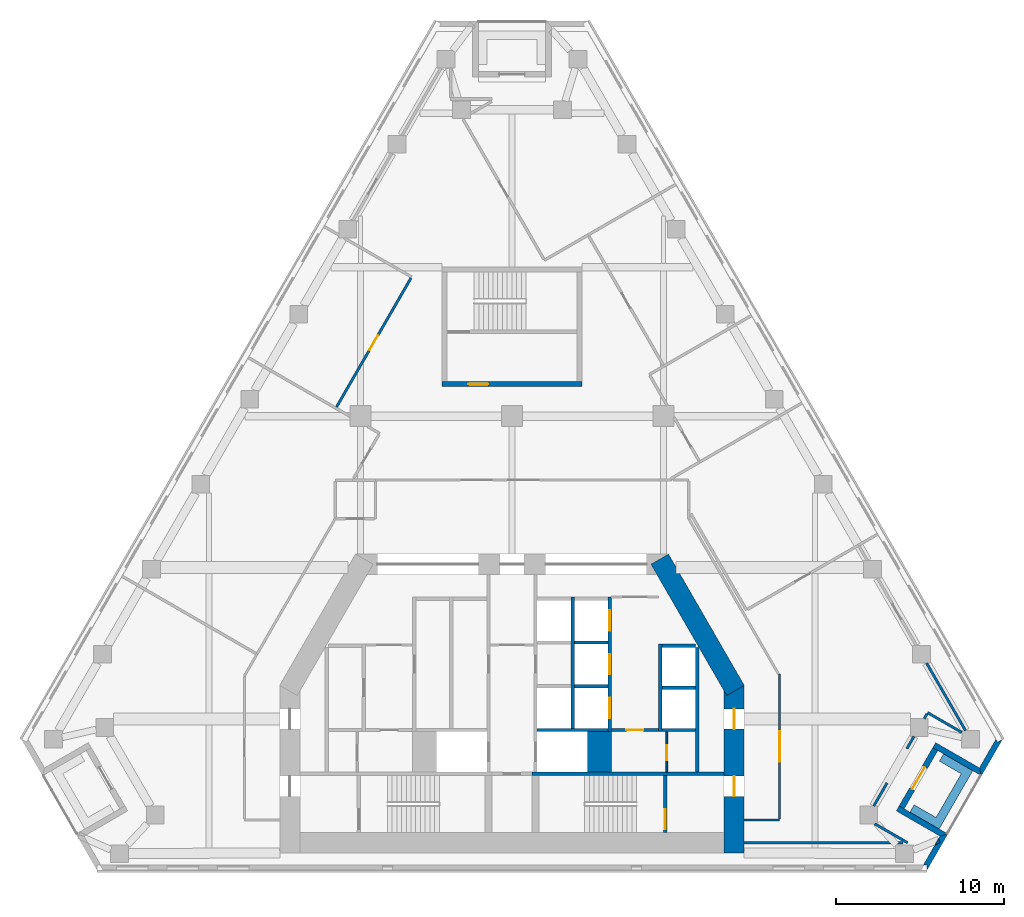
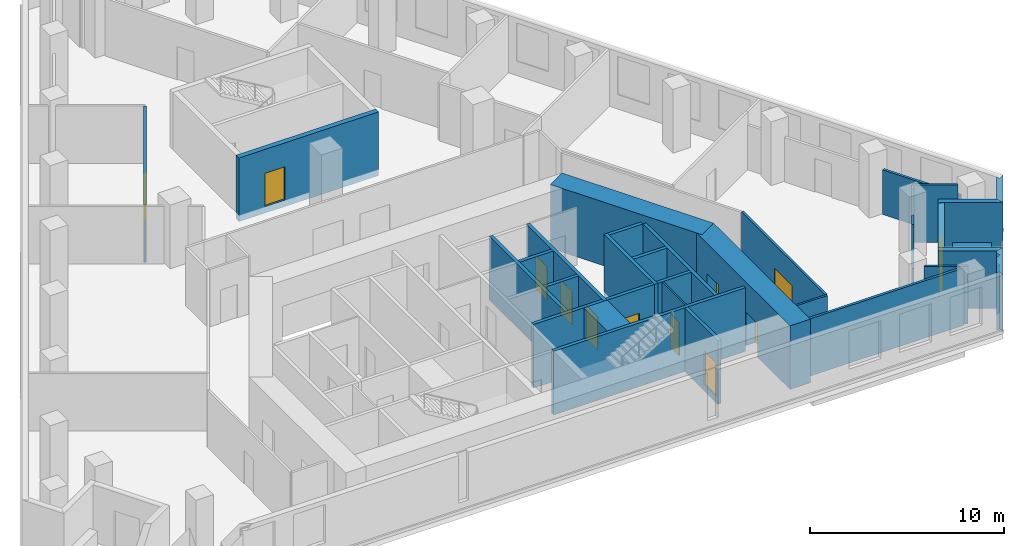
# One storey, part 6 of 9: 35 walls, 12 doors, 12 openings.
"""IFC4 building model written with IfcOpenShell, lengths in metres."""

from ifc_helpers import new_model, si_unit, direction, frame, frame_2d, origin, place, context, subcontext, project, spatial, polyline, rectangle, outline, extrude, material, layer, layer_set, type_object, element, fill, save


model = new_model("IFC4")

# Units and contexts
model_context = context("Model", 3, precision=1e-05, world=origin(), true_north=direction((0.0, 1.0)))
body_context = subcontext(model_context, "Body", "Model", "MODEL_VIEW")
ifc_project = project(units=[si_unit("LENGTHUNIT", "METRE"), si_unit("AREAUNIT", "SQUARE_METRE"), si_unit("VOLUMEUNIT", "CUBIC_METRE"), si_unit("PLANEANGLEUNIT", "RADIAN"), si_unit("MASSUNIT", "GRAM", prefix="KILO")], contexts=[model_context])

# Site, building, storey
site_placement = place(None, origin())
site = spatial("IfcSite", under=ifc_project, at=site_placement, CompositionType="ELEMENT")
building_placement = place(site_placement, origin())
building = spatial("IfcBuilding", under=site, at=building_placement, Name="Fogline Exchange Tower", CompositionType="ELEMENT")
storey_placement = place(building_placement, frame((0.0, 0.0, 150.89990234375)))
storey = spatial("IfcBuildingStorey", under=building, at=storey_placement, Name="L33", CompositionType="ELEMENT", Elevation=150.89990234375)

# Wall, opening, door
ifc_material_1 = material(Name="Blockwork partition", Category="masonry")
ifc_layer_1 = layer(ifc_material_1, 0.10009765625)
ifc_layer_set_1 = layer_set([ifc_layer_1], Name="CW10")
wall_type_1 = type_object("IfcWallType", Name="CW10", PredefinedType="PARTITIONING", material=ifc_layer_set_1)
wall_1_placement = place(storey_placement, frame((9.199951171875, 5.85009765625, 0.0), z_axis=(0.0, 0.0, 1.0), x_axis=(0.0, 1.0, 0.0)))
wall_1 = element("IfcWall", 1, at=wall_1_placement, inside=storey, type_object=wall_type_1, Name="WC partition", PredefinedType="PARTITIONING", context=body_context, shape_type="SweptSolid", body=[
    extrude(rectangle(XDim=2.39990234375, YDim=0.10009765625, at=frame_2d((1.199951171875, 0.0))), origin(), (0.0, 0.0, 1.0), 3.60009765625),
])
opening_1_placement = place(wall_1_placement, frame((0.699951171875, 0.0, 0.0)))
opening_1 = element("IfcOpeningElement", 2, at=opening_1_placement, cuts=wall_1, Name="Opening T10-C014", PredefinedType="OPENING", context=body_context, shape_type="SweptSolid", body=[
    extrude(rectangle(XDim=0.89990234375, YDim=2.10009765625, at=frame_2d((0.449951171875, 1.050048828125))), frame((0.0, 0.06005859375, 0.0), z_axis=(0.0, -1.0, 0.0), x_axis=(1.0, 0.0, 0.0)), (0.0, 0.0, 1.0), 0.1201171875),
])
ifc_material_2 = material(Name="Steel and timber fire door", Category="steel")
door_type_1 = type_object("IfcDoorType", Name="D-CS1", OperationType="SINGLE_SWING_RIGHT", PredefinedType="DOOR", material=ifc_material_2)
door_1_placement = place(opening_1_placement, frame((0.89990234375, 0.0, 0.0), z_axis=(0.0, 0.0, 1.0), x_axis=(-1.0, 0.0, 0.0)))
door_1 = element("IfcDoor", 3, at=door_1_placement, inside=storey, type_object=door_type_1, Name="Door to Cleaner's Store", OperationType="SINGLE_SWING_RIGHT", OverallHeight=2.10009765625, OverallWidth=0.89990234375, PredefinedType="DOOR", context=body_context, shape_type="SweptSolid", body=[
    extrude(rectangle(XDim=0.89990234375, YDim=2.10009765625, at=frame_2d((0.449951171875, 1.050048828125))), frame((0.0, 0.02490234375, 0.0), z_axis=(0.0, -1.0, 0.0), x_axis=(1.0, 0.0, 0.0)), (0.0, 0.0, 1.0), 0.050048828125),
])
fill(opening_1, door_1)

# Walls
ifc_material_3 = material(Name="Concrete C60", Category="concrete")
ifc_layer_2 = layer(ifc_material_3, 1.39990234375)
ifc_layer_set_2 = layer_set([ifc_layer_2], Name="CW140")
wall_type_2 = type_object("IfcWallType", Name="CW140", PredefinedType="SOLIDWALL", material=ifc_layer_set_2)
wall_2_placement = place(storey_placement, frame((5.199951171875, 5.85009765625, -0.39990234375), z_axis=(0.0, 0.0, 1.0), x_axis=(0.0, 1.0, 0.0)))
element("IfcWall", 4, at=wall_2_placement, inside=storey, type_object=wall_type_2, Name="Lift shaft block wall", PredefinedType="SOLIDWALL", context=body_context, shape_type="SweptSolid", body=[
    extrude(rectangle(XDim=2.39990234375, YDim=1.39990234375, at=frame_2d((1.199951171875, 0.0))), origin(), (0.0, 0.0, 1.0), 4.0),
])
ifc_material_4 = material(Name="Concrete C40", Category="concrete")
ifc_layer_3 = layer(ifc_material_4, 0.199951171875)
ifc_layer_set_3 = layer_set([ifc_layer_3], Name="CW20")
wall_type_3 = type_object("IfcWallType", Name="CW20", PredefinedType="SOLIDWALL", material=ifc_layer_set_3)
wall_3_placement = place(storey_placement, frame((11.0, 5.85009765625, 0.0), z_axis=(0.0, 0.0, 1.0), x_axis=(0.0, 1.0, 0.0)))
element("IfcWall", 5, at=wall_3_placement, inside=storey, type_object=wall_type_3, Name="Service room wall", PredefinedType="SOLIDWALL", context=body_context, shape_type="SweptSolid", body=[
    extrude(rectangle(XDim=7.39990234375, YDim=0.199951171875, at=frame_2d((3.699951171875, 0.0))), origin(), (0.0, 0.0, 1.0), 3.60009765625),
])

# Wall, opening, door
wall_4_placement = place(storey_placement, frame((5.89990234375, 8.35009765625, 0.0), z_axis=(0.0, 0.0, 1.0), x_axis=(1.0, 0.0, 0.0)))
wall_4 = element("IfcWall", 6, at=wall_4_placement, inside=storey, type_object=wall_type_3, Name="WC wall", PredefinedType="SOLIDWALL", context=body_context, shape_type="SweptSolid", body=[
    extrude(rectangle(XDim=2.800048828125, YDim=0.199951171875, at=frame_2d((1.39990234375, 0.0))), origin(), (0.0, 0.0, 1.0), 3.60009765625),
])
opening_2_placement = place(wall_4_placement, frame((0.89990234375, 0.0, 0.0)))
opening_2 = element("IfcOpeningElement", 7, at=opening_2_placement, cuts=wall_4, Name="Opening T10-C013", PredefinedType="OPENING", context=body_context, shape_type="SweptSolid", body=[
    extrude(rectangle(XDim=1.0, YDim=2.10009765625, at=frame_2d((0.5, 1.050048828125))), frame((0.0, 0.10986328125, 0.0), z_axis=(0.0, -1.0, 0.0), x_axis=(1.0, 0.0, 0.0)), (0.0, 0.0, 1.0), 0.219970703125),
])
door_type_2 = type_object("IfcDoorType", Name="D-WC1", OperationType="SINGLE_SWING_LEFT", PredefinedType="DOOR", material=ifc_material_2)
door_2_placement = place(opening_2_placement, frame((1.0, 0.0, 0.0), z_axis=(0.0, 0.0, 1.0), x_axis=(-1.0, 0.0, 0.0)))
door_2 = element("IfcDoor", 8, at=door_2_placement, inside=storey, type_object=door_type_2, Name="Door to Women's WC", OperationType="SINGLE_SWING_LEFT", OverallHeight=2.10009765625, OverallWidth=1.0, PredefinedType="DOOR", context=body_context, shape_type="SweptSolid", body=[
    extrude(rectangle(XDim=1.0, YDim=2.10009765625, at=frame_2d((0.5, 1.050048828125))), frame((0.0, 0.02490234375, 0.0), z_axis=(0.0, -1.0, 0.0), x_axis=(1.0, 0.0, 0.0)), (0.0, 0.0, 1.0), 0.050048828125),
])
fill(opening_2, door_2)

# Wall
ifc_layer_4 = layer(ifc_material_4, 0.199951171875)
ifc_layer_set_4 = layer_set([ifc_layer_4], Name="CW20R")
wall_type_4 = type_object("IfcWallType", Name="CW20R", PredefinedType="SOLIDWALL", material=ifc_layer_set_4)
wall_5_placement = place(storey_placement, frame((1.199951171875, 5.75, -0.39990234375), z_axis=(0.0, 0.0, 1.0), x_axis=(1.0, 0.0, 0.0)))
element("IfcWall", 9, at=wall_5_placement, inside=storey, type_object=wall_type_4, Name="Stair enclosure wall", PredefinedType="SOLIDWALL", context=body_context, shape_type="SweptSolid", body=[
    extrude(rectangle(XDim=11.400146484375, YDim=0.199951171875, at=frame_2d((5.7001953125, 0.0))), origin(), (0.0, 0.0, 1.0), 4.0),
])

# Wall, opening, door
wall_6_placement = place(storey_placement, frame((9.10009765625, 2.25, -0.39990234375), z_axis=(0.0, 0.0, 1.0), x_axis=(0.0, 1.0, 0.0)))
wall_6 = element("IfcWall", 10, at=wall_6_placement, inside=storey, type_object=wall_type_4, Name="Stair enclosure wall", PredefinedType="SOLIDWALL", context=body_context, shape_type="SweptSolid", body=[
    extrude(rectangle(XDim=3.39990234375, YDim=0.199951171875, at=frame_2d((1.699951171875, 0.0))), origin(), (0.0, 0.0, 1.0), 4.0),
])
opening_3_placement = place(wall_6_placement, frame((0.199951171875, 0.0, 0.39990234375)))
opening_3 = element("IfcOpeningElement", 11, at=opening_3_placement, cuts=wall_6, Name="Opening T10-C016", PredefinedType="OPENING", context=body_context, shape_type="SweptSolid", body=[
    extrude(rectangle(XDim=1.199951171875, YDim=2.10009765625, at=frame_2d((0.60009765625, 1.050048828125))), frame((0.0, 0.10986328125, 0.0), z_axis=(0.0, -1.0, 0.0), x_axis=(1.0, 0.0, 0.0)), (0.0, 0.0, 1.0), 0.219970703125),
])
door_type_3 = type_object("IfcDoorType", Name="D-ST1", OperationType="SINGLE_SWING_LEFT", PredefinedType="DOOR", material=ifc_material_2)
door_3_placement = place(opening_3_placement, origin())
door_3 = element("IfcDoor", 12, at=door_3_placement, inside=storey, type_object=door_type_3, Name="Stair door ST2", OperationType="SINGLE_SWING_LEFT", OverallHeight=2.10009765625, OverallWidth=1.199951171875, PredefinedType="DOOR", context=body_context, shape_type="SweptSolid", body=[
    extrude(rectangle(XDim=1.199951171875, YDim=2.10009765625, at=frame_2d((0.60009765625, 1.050048828125))), frame((0.0, 0.02490234375, 0.0), z_axis=(0.0, -1.0, 0.0), x_axis=(1.0, 0.0, 0.0)), (0.0, 0.0, 1.0), 0.050048828125),
])
fill(opening_3, door_3)

# Wall
ifc_layer_5 = layer(ifc_material_4, 0.199951171875)
ifc_layer_set_5 = layer_set([ifc_layer_5], Name="CW20S")
wall_type_5 = type_object("IfcWallType", Name="CW20S", PredefinedType="SOLIDWALL", material=ifc_layer_set_5)
wall_7_placement = place(storey_placement, frame((8.800048828125, 8.25, -0.39990234375), z_axis=(0.0, 0.0, 1.0), x_axis=(0.0, 1.0, 0.0)))
element("IfcWall", 13, at=wall_7_placement, inside=storey, type_object=wall_type_5, Name="Lift shaft wall", PredefinedType="SOLIDWALL", context=body_context, shape_type="SweptSolid", body=[
    extrude(rectangle(XDim=5.199951171875, YDim=0.199951171875, at=frame_2d((2.60009765625, 0.0))), origin(), (0.0, 0.0, 1.0), 4.0),
])

# Wall, openings, doors
wall_8_placement = place(storey_placement, frame((5.800048828125, 8.25, -0.39990234375), z_axis=(0.0, 0.0, 1.0), x_axis=(0.0, 1.0, 0.0)))
wall_8 = element("IfcWall", 14, at=wall_8_placement, inside=storey, type_object=wall_type_5, Name="Lift shaft wall", PredefinedType="SOLIDWALL", context=body_context, shape_type="SweptSolid", body=[
    extrude(rectangle(XDim=8.0, YDim=0.199951171875, at=frame_2d((4.0, 0.0))), origin(), (0.0, 0.0, 1.0), 4.0),
])
opening_4_placement = place(wall_8_placement, frame((0.800048828125, 0.0, 0.39990234375)))
opening_4 = element("IfcOpeningElement", 15, at=opening_4_placement, cuts=wall_8, Name="Opening T10-LD02", PredefinedType="OPENING", context=body_context, shape_type="SweptSolid", body=[
    extrude(rectangle(XDim=1.199951171875, YDim=2.10009765625, at=frame_2d((0.60009765625, 1.050048828125))), frame((0.0, 0.10986328125, 0.0), z_axis=(0.0, -1.0, 0.0), x_axis=(1.0, 0.0, 0.0)), (0.0, 0.0, 1.0), 0.219970703125),
])
opening_5_placement = place(wall_8_placement, frame((3.39990234375, 0.0, 0.39990234375)))
opening_5 = element("IfcOpeningElement", 16, at=opening_5_placement, cuts=wall_8, Name="Opening T10-LD03", PredefinedType="OPENING", context=body_context, shape_type="SweptSolid", body=[
    extrude(rectangle(XDim=1.199951171875, YDim=2.10009765625, at=frame_2d((0.60009765625, 1.050048828125))), frame((0.0, 0.10986328125, 0.0), z_axis=(0.0, -1.0, 0.0), x_axis=(1.0, 0.0, 0.0)), (0.0, 0.0, 1.0), 0.219970703125),
])
opening_6_placement = place(wall_8_placement, frame((6.0, 0.0, 0.39990234375)))
opening_6 = element("IfcOpeningElement", 17, at=opening_6_placement, cuts=wall_8, Name="Opening T10-LD04", PredefinedType="OPENING", context=body_context, shape_type="SweptSolid", body=[
    extrude(rectangle(XDim=1.199951171875, YDim=2.10009765625, at=frame_2d((0.60009765625, 1.050048828125))), frame((0.0, 0.10986328125, 0.0), z_axis=(0.0, -1.0, 0.0), x_axis=(1.0, 0.0, 0.0)), (0.0, 0.0, 1.0), 0.219970703125),
])
door_type_4 = type_object("IfcDoorType", Name="LD1", OperationType="SLIDING_TO_LEFT", PredefinedType="DOOR", material=ifc_material_2)
door_4_placement = place(opening_4_placement, origin())
door_4 = element("IfcDoor", 18, at=door_4_placement, inside=storey, type_object=door_type_4, Name="Landing door MR1", OperationType="SLIDING_TO_LEFT", OverallHeight=2.10009765625, OverallWidth=1.199951171875, PredefinedType="DOOR", context=body_context, shape_type="SweptSolid", body=[
    extrude(rectangle(XDim=1.199951171875, YDim=2.10009765625, at=frame_2d((0.60009765625, 1.050048828125))), frame((0.0, 0.02490234375, 0.0), z_axis=(0.0, -1.0, 0.0), x_axis=(1.0, 0.0, 0.0)), (0.0, 0.0, 1.0), 0.050048828125),
])
fill(opening_4, door_4)
door_5_placement = place(opening_5_placement, origin())
door_5 = element("IfcDoor", 19, at=door_5_placement, inside=storey, type_object=door_type_4, Name="Landing door MR2", OperationType="SLIDING_TO_LEFT", OverallHeight=2.10009765625, OverallWidth=1.199951171875, PredefinedType="DOOR", context=body_context, shape_type="SweptSolid", body=[
    extrude(rectangle(XDim=1.199951171875, YDim=2.10009765625, at=frame_2d((0.60009765625, 1.050048828125))), frame((0.0, 0.02490234375, 0.0), z_axis=(0.0, -1.0, 0.0), x_axis=(1.0, 0.0, 0.0)), (0.0, 0.0, 1.0), 0.050048828125),
])
fill(opening_5, door_5)
door_6_placement = place(opening_6_placement, origin())
door_6 = element("IfcDoor", 20, at=door_6_placement, inside=storey, type_object=door_type_4, Name="Landing door MR3", OperationType="SLIDING_TO_LEFT", OverallHeight=2.10009765625, OverallWidth=1.199951171875, PredefinedType="DOOR", context=body_context, shape_type="SweptSolid", body=[
    extrude(rectangle(XDim=1.199951171875, YDim=2.10009765625, at=frame_2d((0.60009765625, 1.050048828125))), frame((0.0, 0.02490234375, 0.0), z_axis=(0.0, -1.0, 0.0), x_axis=(1.0, 0.0, 0.0)), (0.0, 0.0, 1.0), 0.050048828125),
])
fill(opening_6, door_6)

# Walls
wall_9_placement = place(storey_placement, frame((3.60009765625, 8.449951171875, -0.39990234375), z_axis=(0.0, 0.0, 1.0), x_axis=(0.0, 1.0, 0.0)))
element("IfcWall", 21, at=wall_9_placement, inside=storey, type_object=wall_type_5, Name="Lift shaft wall", PredefinedType="SOLIDWALL", context=body_context, shape_type="SweptSolid", body=[
    extrude(rectangle(XDim=7.800048828125, YDim=0.199951171875, at=frame_2d((3.89990234375, 0.0))), origin(), (0.0, 0.0, 1.0), 4.0),
])
wall_10_placement = place(storey_placement, frame((8.89990234375, 8.35009765625, -0.39990234375), z_axis=(0.0, 0.0, 1.0), x_axis=(1.0, 0.0, 0.0)))
element("IfcWall", 22, at=wall_10_placement, inside=storey, type_object=wall_type_5, Name="Lift shaft wall", PredefinedType="SOLIDWALL", context=body_context, shape_type="SweptSolid", body=[
    extrude(rectangle(XDim=2.0, YDim=0.199951171875, at=frame_2d((1.0, 0.0))), origin(), (0.0, 0.0, 1.0), 4.0),
])
wall_11_placement = place(storey_placement, frame((1.5, 8.35009765625, -0.39990234375), z_axis=(0.0, 0.0, 1.0), x_axis=(1.0, 0.0, 0.0)))
element("IfcWall", 23, at=wall_11_placement, inside=storey, type_object=wall_type_5, Name="Lift shaft wall", PredefinedType="SOLIDWALL", context=body_context, shape_type="SweptSolid", body=[
    extrude(rectangle(XDim=4.199951171875, YDim=0.199951171875, at=frame_2d((2.10009765625, 0.0))), origin(), (0.0, 0.0, 1.0), 4.0),
])
for number, where, z_axis, x_axis, name in (
    (24, (8.89990234375, 10.85009765625, -0.39990234375), (0.0, 0.0, 1.0), (1.0, 0.0, 0.0), "Lift shaft wall"),
    (25, (8.89990234375, 13.35009765625, -0.39990234375), (0.0, 0.0, 1.0), (1.0, 0.0, 0.0), "Lift shaft wall"),
    (26, (3.699951171875, 10.949951171875, -0.39990234375), (0.0, 0.0, 1.0), (1.0, 0.0, 0.0), "Lift shaft wall"),
    (27, (3.699951171875, 13.550048828125, -0.39990234375), (0.0, 0.0, 1.0), (1.0, 0.0, 0.0), "Lift shaft wall"),
):
    element("IfcWall", number, at=place(storey_placement, frame(where, z_axis=z_axis, x_axis=x_axis)), inside=storey, type_object=wall_type_5, Name=name, PredefinedType="SOLIDWALL", context=body_context, shape_type="SweptSolid", body=[
        extrude(rectangle(XDim=2.0, YDim=0.199951171875, at=frame_2d((1.0, 0.0))), origin(), (0.0, 0.0, 1.0), 4.0),
    ])

# Wall, opening, door
ifc_layer_6 = layer(ifc_material_4, 0.300048828125)
ifc_layer_set_6 = layer_set([ifc_layer_6], Name="CW30")
wall_type_6 = type_object("IfcWallType", Name="CW30", PredefinedType="SOLIDWALL", material=ifc_layer_set_6)
wall_12_placement = place(storey_placement, frame((-4.14990234375, 28.906982421875, -0.39990234375), z_axis=(0.0, 0.0, 1.0), x_axis=(1.0, 0.0, 0.0)))
wall_12 = element("IfcWall", 28, at=wall_12_placement, inside=storey, type_object=wall_type_6, Name="Stair enclosure wall ST3", PredefinedType="SOLIDWALL", context=body_context, shape_type="SweptSolid", body=[
    extrude(rectangle(XDim=8.2998046875, YDim=0.300048828125, at=frame_2d((4.14990234375, 0.0))), origin(), (0.0, 0.0, 1.0), 4.0),
])
opening_7_placement = place(wall_12_placement, frame((1.550048828125, 0.0, 0.39990234375)))
opening_7 = element("IfcOpeningElement", 29, at=opening_7_placement, cuts=wall_12, Name="Opening T10-C022", PredefinedType="OPENING", context=body_context, shape_type="SweptSolid", body=[
    extrude(rectangle(XDim=1.199951171875, YDim=2.10009765625, at=frame_2d((0.60009765625, 1.050048828125))), frame((0.0, 0.16015625, 0.0), z_axis=(0.0, -1.0, 0.0), x_axis=(1.0, 0.0, 0.0)), (0.0, 0.0, 1.0), 0.320068359375),
])
door_type_5 = type_object("IfcDoorType", Name="D-FR1", OperationType="SINGLE_SWING_RIGHT", PredefinedType="DOOR", material=ifc_material_2)
door_7_placement = place(opening_7_placement, origin())
door_7 = element("IfcDoor", 30, at=door_7_placement, inside=storey, type_object=door_type_5, Name="Front room door ST3", OperationType="SINGLE_SWING_LEFT", OverallHeight=2.10009765625, OverallWidth=1.199951171875, PredefinedType="DOOR", context=body_context, shape_type="SweptSolid", body=[
    extrude(rectangle(XDim=1.199951171875, YDim=2.10009765625, at=frame_2d((0.60009765625, 1.050048828125))), frame((0.0, 0.02490234375, 0.0), z_axis=(0.0, -1.0, 0.0), x_axis=(1.0, 0.0, 0.0)), (0.0, 0.0, 1.0), 0.050048828125),
])
fill(opening_7, door_7)

# Walls
ifc_material_5 = material(Name="Brick masonry", Category="masonry")
ifc_layer_7 = layer(ifc_material_5, 0.340087890625)
ifc_layer_set_7 = layer_set([ifc_layer_7], Name="FW1")
wall_type_7 = type_object("IfcWallType", Name="FW1", PredefinedType="SOLIDWALL", material=ifc_layer_set_7)
wall_13_placement = place(storey_placement, origin())
element("IfcWall", 31, at=wall_13_placement, inside=storey, type_object=wall_type_7, Name="Brick wall L33 SE-c1", PredefinedType="SOLIDWALL", context=body_context, shape_type="SweptSolid", body=[
    extrude(outline(polyline([(25.338134765625, 1.875732421875), (25.43115234375, 1.649658203125), (25.137939453125, 1.529052734375), (25.338134765625, 1.875732421875)])), origin(), (0.0, 0.0, 1.0), 3.0),
])
wall_14_placement = place(storey_placement, origin())
element("IfcWall", 32, at=wall_14_placement, inside=storey, type_object=wall_type_7, Name="Brick wall L33 SE-c1", PredefinedType="SOLIDWALL", context=body_context, shape_type="SweptSolid", body=[
    extrude(outline(polyline([(24.6484375, -0.001220703125), (24.64794921875, -0.0009765625), (24.64794921875, 0.33935546875), (24.451171875, 0.33935546875), (25.137939453125, 1.529052734375), (25.43115234375, 1.649658203125), (25.338134765625, 1.875732421875), (25.43359375, 2.041015625), (25.8994140625, 2.166015625), (25.8994140625, 2.165771484375), (24.6484375, -0.001220703125)])), origin(), (0.0, 0.0, 1.0), 3.60009765625),
])
wall_15_placement = place(storey_placement, origin())
element("IfcWall", 33, at=wall_15_placement, inside=storey, type_object=wall_type_7, Name="Brick wall L33 SE-s1", PredefinedType="SOLIDWALL", context=body_context, shape_type="SweptSolid", body=[
    extrude(outline(polyline([(22.835205078125, 3.540283203125), (23.005859375, 3.8359375), (23.30078125, 3.66552734375), (25.899658203125, 2.1650390625), (25.899658203125, 2.164794921875), (25.433837890625, 2.0400390625), (22.835205078125, 3.540283203125)])), origin(), (0.0, 0.0, 1.0), 3.60009765625),
])

# Wall, opening, door
wall_16_placement = place(storey_placement, frame((23.153076171875, 3.75, 0.0), z_axis=(0.0, 0.0, 1.0), x_axis=(0.49999894854, 0.866026010844, 0.0)))
wall_16 = element("IfcWall", 34, at=wall_16_placement, inside=storey, type_object=wall_type_7, Name="Brick wall L33 SE-bk", PredefinedType="SOLIDWALL", context=body_context, shape_type="SweptSolid", body=[
    extrude(rectangle(XDim=4.0, YDim=0.340087890625, at=frame_2d((2.0, 0.0))), origin(), (0.0, 0.0, 1.0), 3.60009765625),
])
opening_8_placement = place(wall_16_placement, frame((1.25, 0.0, 0.0)))
opening_8 = element("IfcOpeningElement", 35, at=opening_8_placement, cuts=wall_16, Name="Opening T10-E081", PredefinedType="OPENING", context=body_context, shape_type="SweptSolid", body=[
    extrude(rectangle(XDim=1.5, YDim=2.39990234375, at=frame_2d((0.75, 1.199951171875))), frame((0.0, 0.18017578125, 0.0), z_axis=(0.0, -1.0, 0.0), x_axis=(1.0, 0.0, 0.0)), (0.0, 0.0, 1.0), 0.360107421875),
])
ifc_material_6 = material(Name="Aluminium and glass", Category="aluminium")
door_type_6 = type_object("IfcDoorType", Name="ED4", OperationType="SINGLE_SWING_LEFT", PredefinedType="DOOR", material=ifc_material_6)
door_8_placement = place(opening_8_placement, frame((1.5, 0.0, 0.0), z_axis=(0.0, 0.0, 1.0), x_axis=(-1.0, 0.0, 0.0)))
door_8 = element("IfcDoor", 36, at=door_8_placement, inside=storey, type_object=door_type_6, Name="Balcony door L33 SE", OperationType="DOUBLE_DOOR_SINGLE_SWING", OverallHeight=2.39990234375, OverallWidth=1.5, PredefinedType="DOOR", context=body_context, shape_type="SweptSolid", body=[
    extrude(rectangle(XDim=1.5, YDim=2.39990234375, at=frame_2d((0.75, 1.199951171875))), frame((0.0, 0.02490234375, 0.0), z_axis=(0.0, -1.0, 0.0), x_axis=(1.0, 0.0, 0.0)), (0.0, 0.0, 1.0), 0.050048828125),
])
fill(opening_8, door_8)

# Walls
wall_17_placement = place(storey_placement, origin())
element("IfcWall", 37, at=wall_17_placement, inside=storey, type_object=wall_type_7, Name="Brick wall L33 SE-s2", PredefinedType="SOLIDWALL", context=body_context, shape_type="SweptSolid", body=[
    extrude(outline(polyline([(27.899169921875, 5.628173828125), (25.300048828125, 7.128662109375), (25.005126953125, 7.298828125), (25.17578125, 7.594482421875), (27.774658203125, 6.093994140625), (27.8994140625, 5.62841796875), (27.899169921875, 5.628173828125)])), origin(), (0.0, 0.0, 1.0), 3.60009765625),
])
wall_18_placement = place(storey_placement, origin())
element("IfcWall", 38, at=wall_18_placement, inside=storey, type_object=wall_type_7, Name="Brick wall L33 SE-c2", PredefinedType="SOLIDWALL", context=body_context, shape_type="SweptSolid", body=[
    extrude(outline(polyline([(28.755859375, 7.79541015625), (28.854248046875, 7.625), (29.149169921875, 7.79541015625), (29.149658203125, 7.794921875), (27.8984375, 5.6279296875), (27.898193359375, 5.6279296875), (27.7734375, 6.09375), (28.755859375, 7.79541015625)])), origin(), (0.0, 0.0, 1.0), 3.60009765625),
])
ifc_material_7 = material(Name="Concrete C30", Category="concrete")
ifc_layer_8 = layer(ifc_material_7, 0.199951171875)
ifc_layer_set_8 = layer_set([ifc_layer_8], Name="PL1")
wall_type_8 = type_object("IfcWallType", Name="PL1", PredefinedType="USERDEFINED", material=ifc_layer_set_8)
wall_19_placement = place(storey_placement, origin())
element("IfcWall", 39, at=wall_19_placement, inside=storey, type_object=wall_type_8, Name="PLANTER balcony L33 SE", ObjectType="PLANTER", PredefinedType="USERDEFINED", context=body_context, shape_type="SweptSolid", body=[
    extrude(outline(polyline([(23.646728515625, 3.465087890625), (24.94580078125, 2.715087890625), (24.94580078125, 2.715087890625), (25.37890625, 2.465087890625), (27.12890625, 5.49609375), (27.37890625, 5.92919921875), (25.646728515625, 6.92919921875), (25.396728515625, 6.49609375), (26.69580078125, 5.74609375), (25.19580078125, 3.148193359375), (23.896728515625, 3.898193359375), (23.646728515625, 3.465087890625)])), origin(), (0.0, 0.0, 1.0), 1.10009765625),
])

# Wall, opening, door
ifc_material_8 = material(Name="Plasterboard corridor partition with mineral wool, 2 layers each side")
ifc_layer_9 = layer(ifc_material_8, 0.125)
ifc_layer_set_9 = layer_set([ifc_layer_9], Name="PW2")
wall_type_9 = type_object("IfcWallType", Name="PW2", PredefinedType="PARTITIONING", material=ifc_layer_set_9)
wall_20_placement = place(storey_placement, frame((15.89990234375, 11.67041015625, 0.0), z_axis=(0.0, 0.0, 1.0), x_axis=(0.0, -1.0, 0.0)))
wall_20 = element("IfcWall", 40, at=wall_20_placement, inside=storey, type_object=wall_type_9, Name="wall-L33-W002", PredefinedType="PARTITIONING", context=body_context, shape_type="SweptSolid", body=[
    extrude(rectangle(XDim=8.60791015625, YDim=0.125, at=frame_2d((4.303955078125, 0.0))), origin(), (0.0, 0.0, 1.0), 3.60009765625),
])
opening_9_placement = place(wall_20_placement, frame((3.40380859375, 0.0, 0.0)))
opening_9 = element("IfcOpeningElement", 41, at=opening_9_placement, cuts=wall_20, Name="Opening T10-D001", PredefinedType="OPENING", context=body_context, shape_type="SweptSolid", body=[
    extrude(rectangle(XDim=1.800048828125, YDim=2.10009765625, at=frame_2d((0.89990234375, 1.050048828125))), frame((0.0, 0.072509765625, 0.0), z_axis=(0.0, -1.0, 0.0), x_axis=(1.0, 0.0, 0.0)), (0.0, 0.0, 1.0), 0.14501953125),
])
ifc_material_9 = material(Name="Fire-rated timber door leaves with steel frame", Category="steel")
door_type_7 = type_object("IfcDoorType", Name="D4", OperationType="DOUBLE_DOOR_SINGLE_SWING", PredefinedType="DOOR", material=ifc_material_9)
door_9_placement = place(opening_9_placement, frame((1.800048828125, 0.0, 0.0), z_axis=(0.0, 0.0, 1.0), x_axis=(-1.0, 0.0, 0.0)))
door_9 = element("IfcDoor", 42, at=door_9_placement, inside=storey, type_object=door_type_7, Name="door-L33-D001", OperationType="DOUBLE_DOOR_SINGLE_SWING", OverallHeight=2.10009765625, OverallWidth=1.800048828125, PredefinedType="DOOR", context=body_context, shape_type="SweptSolid", body=[
    extrude(rectangle(XDim=1.800048828125, YDim=2.10009765625, at=frame_2d((0.89990234375, 1.050048828125))), frame((0.0, 0.02490234375, 0.0), z_axis=(0.0, -1.0, 0.0), x_axis=(1.0, 0.0, 0.0)), (0.0, 0.0, 1.0), 0.050048828125),
])
fill(opening_9, door_9)

# Wall
wall_21_placement = place(storey_placement, frame((15.89990234375, 3.0, 0.0), z_axis=(0.0, 0.0, 1.0), x_axis=(-1.0, 0.0, 0.0)))
element("IfcWall", 43, at=wall_21_placement, inside=storey, type_object=wall_type_9, Name="wall-L33-W003", PredefinedType="PARTITIONING", context=body_context, shape_type="SweptSolid", body=[
    extrude(rectangle(XDim=2.099853515625, YDim=0.125, at=frame_2d((1.0498046875, 0.0))), origin(), (0.0, 0.0, 1.0), 3.60009765625),
])

# Wall, opening, door
ifc_material_10 = material(Name="Plasterboard demising partition with mineral wool and acoustic board")
ifc_layer_10 = layer(ifc_material_10, 0.14990234375)
ifc_layer_set_10 = layer_set([ifc_layer_10], Name="PW3")
wall_type_10 = type_object("IfcWallType", Name="PW3", PredefinedType="PARTITIONING", material=ifc_layer_set_10)
wall_22_placement = place(storey_placement, frame((-10.429443359375, 27.53662109375, 0.0), z_axis=(0.0, 0.0, 1.0), x_axis=(0.50001697323, 0.866015604063, 0.0)))
wall_22 = element("IfcWall", 44, at=wall_22_placement, inside=storey, type_object=wall_type_10, Name="wall-L33-W032", PredefinedType="PARTITIONING", context=body_context, shape_type="SweptSolid", body=[
    extrude(rectangle(XDim=8.849853515625, YDim=0.14990234375, at=frame_2d((4.4248046875, 0.0))), origin(), (0.0, 0.0, 1.0), 3.60009765625),
])
opening_10_placement = place(wall_22_placement, frame((3.925048828125, 0.0, 0.0)))
opening_10 = element("IfcOpeningElement", 45, at=opening_10_placement, cuts=wall_22, Name="Opening T10-D011", PredefinedType="OPENING", context=body_context, shape_type="SweptSolid", body=[
    extrude(rectangle(XDim=1.0, YDim=2.10009765625, at=frame_2d((0.5, 1.050048828125))), frame((0.0, 0.0849609375, 0.0), z_axis=(0.0, -1.0, 0.0), x_axis=(1.0, 0.0, 0.0)), (0.0, 0.0, 1.0), 0.169921875),
])
ifc_material_11 = material(Name="Fire-rated timber door leaf with steel frame", Category="steel")
door_type_8 = type_object("IfcDoorType", Name="D3", OperationType="SINGLE_SWING_LEFT", PredefinedType="DOOR", material=ifc_material_11)
door_10_placement = place(opening_10_placement, origin())
door_10 = element("IfcDoor", 46, at=door_10_placement, inside=storey, type_object=door_type_8, Name="door-L33-D011", OperationType="SINGLE_SWING_LEFT", OverallHeight=2.10009765625, OverallWidth=1.0, PredefinedType="DOOR", context=body_context, shape_type="SweptSolid", body=[
    extrude(rectangle(XDim=1.0, YDim=2.10009765625, at=frame_2d((0.5, 1.050048828125))), frame((0.0, 0.02490234375, 0.0), z_axis=(0.0, -1.0, 0.0), x_axis=(1.0, 0.0, 0.0)), (0.0, 0.0, 1.0), 0.050048828125),
])
fill(opening_10, door_10)

# Walls
wall_23_placement = place(storey_placement, frame((13.800048828125, 1.64501953125, 0.0), z_axis=(0.0, 0.0, 1.0), x_axis=(1.0, 0.0, 0.0)))
element("IfcWall", 47, at=wall_23_placement, inside=storey, type_object=wall_type_10, Name="wall-L33-W043", PredefinedType="PARTITIONING", context=body_context, shape_type="SweptSolid", body=[
    extrude(rectangle(XDim=9.428955078125, YDim=0.14990234375, at=frame_2d((4.71435546875, 0.0))), origin(), (0.0, 0.0, 1.0), 3.60009765625),
])
wall_24_placement = place(storey_placement, frame((23.50927734375, 1.64501953125, 0.0), z_axis=(0.0, 0.0, 1.0), x_axis=(-0.866052353562, 0.49995331871, 0.0)))
element("IfcWall", 48, at=wall_24_placement, inside=storey, type_object=wall_type_10, Name="wall-L33-W044", PredefinedType="PARTITIONING", context=body_context, shape_type="SweptSolid", body=[
    extrude(rectangle(XDim=2.258056640625, YDim=0.14990234375, at=frame_2d((1.12890625, 0.0))), origin(), (0.0, 0.0, 1.0), 3.60009765625),
])
wall_25_placement = place(storey_placement, frame((21.49267578125, 3.823974609375, 0.0), z_axis=(0.0, 0.0, 1.0), x_axis=(0.50005006716, 0.865996495566, 0.0)))
element("IfcWall", 49, at=wall_25_placement, inside=storey, type_object=wall_type_10, Name="wall-L33-W045", PredefinedType="PARTITIONING", context=body_context, shape_type="SweptSolid", body=[
    extrude(rectangle(XDim=1.591064453125, YDim=0.14990234375, at=frame_2d((0.79541015625, 0.0))), origin(), (0.0, 0.0, 1.0), 2.800048828125),
])
wall_26_placement = place(storey_placement, frame((23.46337890625, 7.2373046875, 0.0), z_axis=(0.0, 0.0, 1.0), x_axis=(0.499955533855, 0.866051074803, 0.0)))
element("IfcWall", 50, at=wall_26_placement, inside=storey, type_object=wall_type_10, Name="wall-L33-W046", PredefinedType="PARTITIONING", context=body_context, shape_type="SweptSolid", body=[
    extrude(rectangle(XDim=0.84619140625, YDim=0.14990234375, at=frame_2d((0.423095703125, 0.0))), origin(), (0.0, 0.0, 1.0), 2.800048828125),
])
wall_27_placement = place(storey_placement, frame((24.49267578125, 9.020263671875, 0.0), z_axis=(0.0, 0.0, 1.0), x_axis=(0.50043490082, 0.865774168037, 0.0)))
element("IfcWall", 51, at=wall_27_placement, inside=storey, type_object=wall_type_10, Name="wall-L33-W047", PredefinedType="PARTITIONING", context=body_context, shape_type="SweptSolid", body=[
    extrude(rectangle(XDim=0.336181640625, YDim=0.14990234375, at=frame_2d((0.16796875, 0.0))), origin(), (0.0, 0.0, 1.0), 3.60009765625),
])
wall_28_placement = place(storey_placement, frame((24.6982421875, 9.376220703125, 0.0), z_axis=(0.0, 0.0, 1.0), x_axis=(0.866063930301, -0.499933264177, 0.0)))
element("IfcWall", 52, at=wall_28_placement, inside=storey, type_object=wall_type_10, Name="wall-L33-W048", PredefinedType="PARTITIONING", context=body_context, shape_type="SweptSolid", body=[
    extrude(rectangle(XDim=2.339111328125, YDim=0.14990234375, at=frame_2d((1.16943359375, 0.0))), origin(), (0.0, 0.0, 1.0), 3.60009765625),
])
wall_29_placement = place(storey_placement, frame((26.94580078125, 8.319091796875, 0.0), z_axis=(0.0, 0.0, 1.0), x_axis=(-0.499981705991, 0.866035965578, 0.0)))
element("IfcWall", 53, at=wall_29_placement, inside=storey, type_object=wall_type_10, Name="wall-L33-W049", PredefinedType="PARTITIONING", context=body_context, shape_type="SweptSolid", body=[
    extrude(rectangle(XDim=4.619384765625, YDim=0.14990234375, at=frame_2d((2.3095703125, 0.0))), origin(), (0.0, 0.0, 1.0), 2.800048828125),
])

# Wall, openings, doors
ifc_layer_11 = layer(ifc_material_3, 1.199951171875)
ifc_layer_set_11 = layer_set([ifc_layer_11], Name="SW02")
wall_type_11 = type_object("IfcWallType", Name="SW02", PredefinedType="SHEAR", material=ifc_layer_set_11)
wall_30_placement = place(storey_placement, frame((13.199951171875, 1.050048828125, 0.0), z_axis=(0.0, 0.0, 1.0), x_axis=(0.0, 1.0, 0.0)))
wall_30 = element("IfcWall", 54, at=wall_30_placement, inside=storey, type_object=wall_type_11, Name="L33-W902", PredefinedType="SHEAR", context=body_context, shape_type="SweptSolid", body=[
    extrude(rectangle(XDim=9.948974609375, YDim=1.199951171875, at=frame_2d((4.974609375, 0.0))), origin(), (0.0, 0.0, 1.0), 4.0),
])
opening_11_placement = place(wall_30_placement, frame((3.35009765625, 0.0, 0.0)))
opening_11 = element("IfcOpeningElement", 55, at=opening_11_placement, cuts=wall_30, Name="Opening T10-C015", PredefinedType="OPENING", context=body_context, shape_type="SweptSolid", body=[
    extrude(rectangle(XDim=1.199951171875, YDim=2.10009765625, at=frame_2d((0.60009765625, 1.050048828125))), frame((0.0, 0.60986328125, 0.0), z_axis=(0.0, -1.0, 0.0), x_axis=(1.0, 0.0, 0.0)), (0.0, 0.0, 1.0), 1.219970703125),
])
opening_12_placement = place(wall_30_placement, frame((7.35009765625, 0.0, 0.0)))
opening_12 = element("IfcOpeningElement", 56, at=opening_12_placement, cuts=wall_30, Name="Opening T10-C017", PredefinedType="OPENING", context=body_context, shape_type="SweptSolid", body=[
    extrude(rectangle(XDim=1.199951171875, YDim=2.10009765625, at=frame_2d((0.60009765625, 1.050048828125))), frame((0.0, 0.60986328125, 0.0), z_axis=(0.0, -1.0, 0.0), x_axis=(1.0, 0.0, 0.0)), (0.0, 0.0, 1.0), 1.219970703125),
])
door_11_placement = place(opening_11_placement, origin())
door_11 = element("IfcDoor", 57, at=door_11_placement, inside=storey, type_object=door_type_5, Name="Front room door ST2", OperationType="SINGLE_SWING_RIGHT", OverallHeight=2.10009765625, OverallWidth=1.199951171875, PredefinedType="DOOR", context=body_context, shape_type="SweptSolid", body=[
    extrude(rectangle(XDim=1.199951171875, YDim=2.10009765625, at=frame_2d((0.60009765625, 1.050048828125))), frame((0.0, 0.02490234375, 0.0), z_axis=(0.0, -1.0, 0.0), x_axis=(1.0, 0.0, 0.0)), (0.0, 0.0, 1.0), 0.050048828125),
])
fill(opening_11, door_11)
door_type_9 = type_object("IfcDoorType", Name="D-SV1", OperationType="SINGLE_SWING_LEFT", PredefinedType="DOOR", material=ifc_material_2)
door_12_placement = place(opening_12_placement, origin())
door_12 = element("IfcDoor", 58, at=door_12_placement, inside=storey, type_object=door_type_9, Name="Service door E", OperationType="SINGLE_SWING_RIGHT", OverallHeight=2.10009765625, OverallWidth=1.199951171875, PredefinedType="DOOR", context=body_context, shape_type="SweptSolid", body=[
    extrude(rectangle(XDim=1.199951171875, YDim=2.10009765625, at=frame_2d((0.60009765625, 1.050048828125))), frame((0.0, 0.02490234375, 0.0), z_axis=(0.0, -1.0, 0.0), x_axis=(1.0, 0.0, 0.0)), (0.0, 0.0, 1.0), 0.050048828125),
])
fill(opening_12, door_12)

# Wall
wall_31_placement = place(storey_placement, frame((13.280517578125, 10.698974609375, 0.0), z_axis=(0.0, 0.0, 1.0), x_axis=(-0.499998513025, 0.866026262288, 0.0)))
element("IfcWall", 59, at=wall_31_placement, inside=storey, type_object=wall_type_11, Name="L33-W903", PredefinedType="SHEAR", context=body_context, shape_type="SweptSolid", body=[
    extrude(rectangle(XDim=9.0078125, YDim=1.199951171875, at=frame_2d((4.50390625, 0.0))), origin(), (0.0, 0.0, 1.0), 4.0),
])

save(model, "model.ifc")
